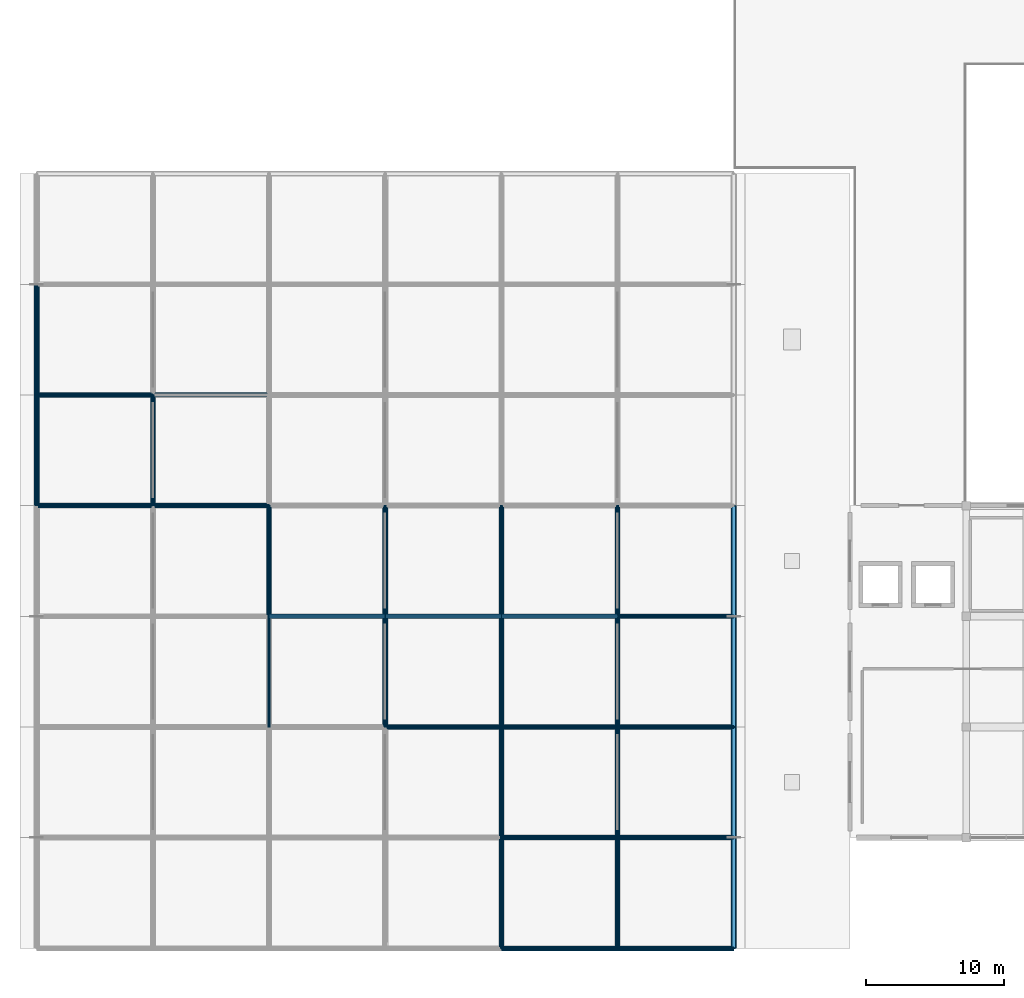
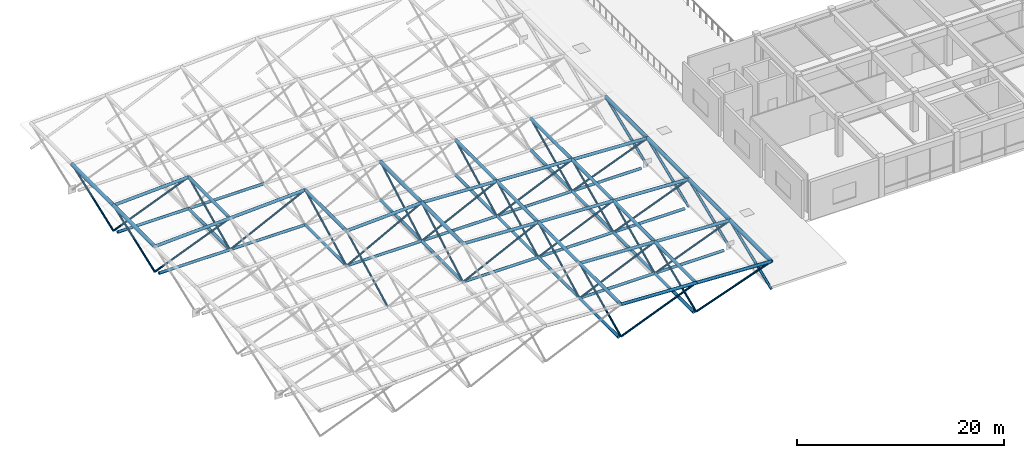
# One storey, part 7 of 37: 49 beams, 41 members.
"""IFC4 building model written with IfcOpenShell, lengths in metres."""

import ifcopenshell
import ifcopenshell.guid

model = None  # the IFC model being written
_history = None  # IfcOwnerHistory: only IFC2X3 demands one
_inside = {}  # id of a spatial element -> (the spatial element, [elements in it])
_under = {}  # id of a project, library or spatial element -> (it, [spatial elements below it])
_declared = {}  # id of a project -> (the project, [libraries it declares])
_typed = {}  # id of a type object -> (the type object, [elements of that type])
_made_of = {}  # id of a material, layer set ... -> (it, [elements and type objects made of it])


def new_model(schema):
    """Start an empty IFC model of exactly this schema.

    Asked for "IFC4X3", IfcOpenShell would pick the latest addendum, in which some entities
    have other attributes; the version numbers below select the first issue.
    IFC2X3 requires an IfcOwnerHistory on every rooted entity: one is made here for all.
    """
    global model, _history
    if schema == "IFC4X3":
        model = ifcopenshell.file(schema_version=(4, 3, 0, 0))
    else:
        model = ifcopenshell.file(schema=schema)
    _inside.clear()
    _under.clear()
    _declared.clear()
    _typed.clear()
    _made_of.clear()
    _history = None
    if model.schema == "IFC2X3":
        org = make("IfcOrganization", Name="unknown")
        user = make(
            "IfcPersonAndOrganization",
            ThePerson=make("IfcPerson", FamilyName="unknown"),
            TheOrganization=org,
        )
        app = make(
            "IfcApplication",
            ApplicationDeveloper=org,
            Version="unknown",
            ApplicationFullName="unknown",
            ApplicationIdentifier="unknown",
        )
        _history = make(
            "IfcOwnerHistory",
            OwningUser=user,
            OwningApplication=app,
            ChangeAction="ADDED",
            CreationDate=0,
        )
    return model


def make(cls, **values):
    """One entity of the class cls with the attributes given. An attribute that is None is left unset."""
    return model.create_entity(
        cls, **{name: value for name, value in values.items() if value is not None}
    )


def rooted(cls, **values):
    """An entity with a GlobalId (a new one), such as an element, a storey or a relation."""
    return make(cls, GlobalId=ifcopenshell.guid.new(), OwnerHistory=_history, **values)


def si_unit(unit_type, name, prefix=None):
    """IfcSIUnit, for example si_unit("LENGTHUNIT", "METRE", prefix="MILLI")."""
    return make("IfcSIUnit", UnitType=unit_type, Prefix=prefix, Name=name)


def assignment(units):
    """IfcUnitAssignment: the units of a project."""
    return None if units is None else make("IfcUnitAssignment", Units=units)


def point(xyz):
    """IfcCartesianPoint."""
    return None if xyz is None else make("IfcCartesianPoint", Coordinates=xyz)


def direction(xyz):
    """IfcDirection."""
    return None if xyz is None else make("IfcDirection", DirectionRatios=xyz)


def frame(location, z_axis=None, x_axis=None):
    """IfcAxis2Placement3D, a coordinate frame: its origin and axes. An axis left out is left unset."""
    return make(
        "IfcAxis2Placement3D",
        Location=point(location),
        Axis=direction(z_axis),
        RefDirection=direction(x_axis),
    )


def frame_2d(location, x_axis=None):
    """IfcAxis2Placement2D, a coordinate frame in the plane: its origin and x axis."""
    return make(
        "IfcAxis2Placement2D", Location=point(location), RefDirection=direction(x_axis)
    )


def origin():
    """The frame at (0, 0, 0) with its axes left unset."""
    return frame((0.0, 0.0, 0.0))


def origin_2d():
    """The frame at (0, 0) in the plane with its x axis left unset."""
    return frame_2d((0.0, 0.0))


def place(relative_to, where):
    """IfcLocalPlacement: puts the frame where relative to a parent placement (None: the world)."""
    return make(
        "IfcLocalPlacement", PlacementRelTo=relative_to, RelativePlacement=where
    )


def context(
    kind, dimensions, precision=None, world=None, true_north=None, identifier=None
):
    """IfcGeometricRepresentationContext, for example the 3D "Model" context."""
    return make(
        "IfcGeometricRepresentationContext",
        ContextIdentifier=identifier,
        ContextType=kind,
        CoordinateSpaceDimension=dimensions,
        Precision=precision,
        WorldCoordinateSystem=world,
        TrueNorth=true_north,
    )


def subcontext(parent, identifier, kind, view, scale=None):
    """IfcGeometricRepresentationSubContext, for example "Body" below "Model"."""
    return make(
        "IfcGeometricRepresentationSubContext",
        ContextIdentifier=identifier,
        ContextType=kind,
        ParentContext=parent,
        TargetScale=scale,
        TargetView=view,
    )


def project(units=None, contexts=None):
    """IfcProject with its units and contexts."""
    return rooted(
        "IfcProject",
        Name="project",
        RepresentationContexts=contexts,
        UnitsInContext=assignment(units),
    )


def spatial(cls, under=None, at=None, **own):
    """A site, building, storey or space (cls), placed at a placement, below another one or the project."""
    s = rooted(cls, ObjectPlacement=at, **own)
    if under is not None:
        _under.setdefault(under.id(), (under, []))[1].append(s)
    return s


def profile(cls, at=None, kind="AREA", **sizes):
    """A parametric profile (cls). Its sizes go by their IFC names, for example OverallWidth=200.0."""
    return make(cls, ProfileType=kind, Position=at, **sizes)


def hollow_circle(**sizes):
    """IfcCircleHollowProfileDef."""
    return profile("IfcCircleHollowProfileDef", **sizes)


def extrude(swept, where, along, depth):
    """IfcExtrudedAreaSolid: the profile swept, set in the frame where, extruded along a direction by depth."""
    return make(
        "IfcExtrudedAreaSolid",
        SweptArea=swept,
        Position=where,
        ExtrudedDirection=direction(along),
        Depth=depth,
    )


def shape(context_of_items, identifier, shape_type, items):
    """IfcShapeRepresentation: the items that make up one representation, for example the "Body"."""
    return make(
        "IfcShapeRepresentation",
        ContextOfItems=context_of_items,
        RepresentationIdentifier=identifier,
        RepresentationType=shape_type,
        Items=items,
    )


def material(Name=None, Category=None):
    """IfcMaterial."""
    return make("IfcMaterial", Name=Name, Category=Category)


def material_profile(
    of_material, cross_section, Name=None, Category=None, Priority=None
):
    """IfcMaterialProfile: a cross section and its material."""
    return make(
        "IfcMaterialProfile",
        Name=Name,
        Material=of_material,
        Profile=cross_section,
        Priority=Priority,
        Category=Category,
    )


def profile_set(profiles, Name=None, composite=None):
    """IfcMaterialProfileSet."""
    return make(
        "IfcMaterialProfileSet",
        Name=Name,
        MaterialProfiles=profiles,
        CompositeProfile=composite,
    )


def made_of(thing, what):
    """Note that an element or type object is made of a material, layer set ...; save() writes the relation."""
    if what is not None:
        _made_of.setdefault(what.id(), (what, []))[1].append(thing)
    return thing


def type_object(cls, material=None, **own):
    """A type object (cls), such as IfcWallType, which elements share."""
    return made_of(rooted(cls, **own), material)


def element(
    cls,
    number,
    at=None,
    inside=None,
    cuts=None,
    type_object=None,
    material=None,
    context=None,
    identifier="Body",
    shape_type=None,
    held_by="IfcProductDefinitionShape",
    body=None,
    shapes=None,
    **own,
):
    """One element of the class cls, such as IfcWall. Its Tag is "e" and its number.

    at: its placement. inside: the storey or other place that contains it. cuts: it is an
    opening in that element (IfcRelVoidsElement). A single representation is given by context,
    identifier, shape_type and body (its items); several are given by shapes. held_by: the class
    of the entity that holds the representations. save() writes the other relations.
    """
    e = rooted(cls, Tag="e%d" % number, ObjectPlacement=at, **own)
    if body is not None:
        shapes = [shape(context, identifier, shape_type, body)]
    if shapes is not None:
        e.Representation = make(held_by, Representations=shapes)
    if inside is not None:
        _inside.setdefault(inside.id(), (inside, []))[1].append(e)
    if cuts is not None:
        rooted(
            "IfcRelVoidsElement", RelatingBuildingElement=cuts, RelatedOpeningElement=e
        )
    if type_object is not None:
        _typed.setdefault(type_object.id(), (type_object, []))[1].append(e)
    return made_of(e, material)


def aggregate(whole, parts):
    """IfcRelAggregates: a whole, such as a stair, and the parts it consists of."""
    return rooted("IfcRelAggregates", RelatingObject=whole, RelatedObjects=parts)


def save(model, path):
    """Write the relations noted so far, then the file.

    IfcRelAggregates (storeys below a building ...), IfcRelContainedInSpatialStructure (elements
    in a storey), IfcRelDefinesByType, IfcRelAssociatesMaterial and IfcRelDeclares: one each for
    every whole, place, type object, material and project.
    """
    for whole, parts in _under.values():
        aggregate(whole, parts)
    for where, things in _inside.values():
        rooted(
            "IfcRelContainedInSpatialStructure",
            RelatedElements=things,
            RelatingStructure=where,
        )
    for kind, things in _typed.values():
        rooted("IfcRelDefinesByType", RelatedObjects=things, RelatingType=kind)
    for what, things in _made_of.values():
        rooted("IfcRelAssociatesMaterial", RelatedObjects=things, RelatingMaterial=what)
    for by, libraries in _declared.values():
        rooted("IfcRelDeclares", RelatingContext=by, RelatedDefinitions=libraries)
    model.write(path)


model = new_model("IFC4")

# Units and contexts
model_context = context("Model", 3, precision=1e-05, world=origin(), true_north=direction((0.0, 1.0)))
body_context = subcontext(model_context, "Body", "Model", "MODEL_VIEW")
ifc_project = project(units=[si_unit("LENGTHUNIT", "METRE"), si_unit("AREAUNIT", "SQUARE_METRE"), si_unit("VOLUMEUNIT", "CUBIC_METRE"), si_unit("PLANEANGLEUNIT", "RADIAN"), si_unit("MASSUNIT", "GRAM", prefix="KILO")], contexts=[model_context])

# Site, building, storey
site_placement = place(None, origin())
site = spatial("IfcSite", under=ifc_project, at=site_placement, CompositionType="ELEMENT")
building_placement = place(site_placement, origin())
building = spatial("IfcBuilding", under=site, at=building_placement, Name="Naruveol Harbour Congress Hotel", CompositionType="ELEMENT")
storey_placement = place(building_placement, frame((0.0, 0.0, 16.199951171875)))
storey = spatial("IfcBuildingStorey", under=building, at=storey_placement, Name="L03", CompositionType="ELEMENT", Elevation=16.199951171875)

# Beams
ifc_material_1 = material(Name="Steel SN490", Category="steel")
ifc_material_profile_1 = material_profile(ifc_material_1, hollow_circle(Radius=0.161865234375, WallThickness=0.012451171875, at=origin_2d()), Name="CHS-323.9x12.5")
ifc_profile_set_1 = profile_set([ifc_material_profile_1], Name="Steel SN490")
beam_type_1 = type_object("IfcBeamType", Name="STEEL SPACE FRAME BOTTOM CHORD CHS324", PredefinedType="JOIST", material=ifc_profile_set_1)
beam_1_placement = place(storey_placement, frame((33.60009765625, 8.0, -0.320068359375), z_axis=(1.0, 0.0, 0.0), x_axis=(0.0, 1.0, 0.0)))
element("IfcBeam", 1, at=beam_1_placement, inside=storey, type_object=beam_type_1, Name="Space frame bottom chord X #5", PredefinedType="JOIST", context=body_context, shape_type="SweptSolid", body=[
    extrude(hollow_circle(Radius=0.161865234375, WallThickness=0.012451171875, at=origin_2d()), origin(), (0.0, 0.0, 1.0), 8.39990234375),
])
beam_2_placement = place(storey_placement, frame((42.0, 8.0, -0.320068359375), z_axis=(1.0, 0.0, 0.0), x_axis=(0.0, 1.0, 0.0)))
element("IfcBeam", 2, at=beam_2_placement, inside=storey, type_object=beam_type_1, Name="Space frame bottom chord X #6", PredefinedType="JOIST", context=body_context, shape_type="SweptSolid", body=[
    extrude(hollow_circle(Radius=0.161865234375, WallThickness=0.012451171875, at=origin_2d()), origin(), (0.0, 0.0, 1.0), 7.705078125),
])
beam_3_placement = place(storey_placement, frame((25.199951171875, 16.0, -0.320068359375), z_axis=(1.0, 0.0, 0.0), x_axis=(0.0, 1.0, 0.0)))
element("IfcBeam", 3, at=beam_3_placement, inside=storey, type_object=beam_type_1, Name="Space frame bottom chord X #10", PredefinedType="JOIST", context=body_context, shape_type="SweptSolid", body=[
    extrude(hollow_circle(Radius=0.161865234375, WallThickness=0.012451171875, at=origin_2d()), origin(), (0.0, 0.0, 1.0), 8.400146484375),
])
beam_4_placement = place(storey_placement, frame((33.60009765625, 16.0, -0.320068359375), z_axis=(1.0, 0.0, 0.0), x_axis=(0.0, 1.0, 0.0)))
element("IfcBeam", 4, at=beam_4_placement, inside=storey, type_object=beam_type_1, Name="Space frame bottom chord X #11", PredefinedType="JOIST", context=body_context, shape_type="SweptSolid", body=[
    extrude(hollow_circle(Radius=0.161865234375, WallThickness=0.012451171875, at=origin_2d()), origin(), (0.0, 0.0, 1.0), 8.39990234375),
])
beam_5_placement = place(storey_placement, frame((42.0, 16.0, -0.320068359375), z_axis=(1.0, 0.0, 0.0), x_axis=(0.0, 1.0, 0.0)))
element("IfcBeam", 5, at=beam_5_placement, inside=storey, type_object=beam_type_1, Name="Space frame bottom chord X #12", PredefinedType="JOIST", context=body_context, shape_type="SweptSolid", body=[
    extrude(hollow_circle(Radius=0.161865234375, WallThickness=0.012451171875, at=origin_2d()), origin(), (0.0, 0.0, 1.0), 7.955078125),
])
beam_6_placement = place(storey_placement, frame((16.800048828125, 24.0, -0.320068359375), z_axis=(1.0, 0.0, 0.0), x_axis=(0.0, 1.0, 0.0)))
element("IfcBeam", 6, at=beam_6_placement, inside=storey, type_object=beam_type_1, Name="Space frame bottom chord X #15", PredefinedType="JOIST", context=body_context, shape_type="SweptSolid", body=[
    extrude(hollow_circle(Radius=0.161865234375, WallThickness=0.012451171875, at=origin_2d()), origin(), (0.0, 0.0, 1.0), 8.39990234375),
])
beam_7_placement = place(storey_placement, frame((25.199951171875, 24.0, -0.320068359375), z_axis=(1.0, 0.0, 0.0), x_axis=(0.0, 1.0, 0.0)))
element("IfcBeam", 7, at=beam_7_placement, inside=storey, type_object=beam_type_1, Name="Space frame bottom chord X #16", PredefinedType="JOIST", context=body_context, shape_type="SweptSolid", body=[
    extrude(hollow_circle(Radius=0.161865234375, WallThickness=0.012451171875, at=origin_2d()), origin(), (0.0, 0.0, 1.0), 8.400146484375),
])
beam_8_placement = place(storey_placement, frame((33.60009765625, 24.0, -0.320068359375), z_axis=(1.0, 0.0, 0.0), x_axis=(0.0, 1.0, 0.0)))
element("IfcBeam", 8, at=beam_8_placement, inside=storey, type_object=beam_type_1, Name="Space frame bottom chord X #17", PredefinedType="JOIST", context=body_context, shape_type="SweptSolid", body=[
    extrude(hollow_circle(Radius=0.161865234375, WallThickness=0.012451171875, at=origin_2d()), origin(), (0.0, 0.0, 1.0), 8.39990234375),
])
beam_9_placement = place(storey_placement, frame((42.0, 24.0, -0.320068359375), z_axis=(1.0, 0.0, 0.0), x_axis=(0.0, 1.0, 0.0)))
element("IfcBeam", 9, at=beam_9_placement, inside=storey, type_object=beam_type_1, Name="Space frame bottom chord X #18", PredefinedType="JOIST", context=body_context, shape_type="SweptSolid", body=[
    extrude(hollow_circle(Radius=0.161865234375, WallThickness=0.012451171875, at=origin_2d()), origin(), (0.0, 0.0, 1.0), 7.705078125),
])
beam_10_placement = place(storey_placement, frame((0.445068359375, 32.0, -0.320068359375), z_axis=(1.0, 0.0, 0.0), x_axis=(0.0, 1.0, 0.0)))
element("IfcBeam", 10, at=beam_10_placement, inside=storey, type_object=beam_type_1, Name="Space frame bottom chord X #19", PredefinedType="JOIST", context=body_context, shape_type="SweptSolid", body=[
    extrude(hollow_circle(Radius=0.161865234375, WallThickness=0.012451171875, at=origin_2d()), origin(), (0.0, 0.0, 1.0), 7.954833984375),
])
beam_11_placement = place(storey_placement, frame((8.39990234375, 32.0, -0.320068359375), z_axis=(1.0, 0.0, 0.0), x_axis=(0.0, 1.0, 0.0)))
element("IfcBeam", 11, at=beam_11_placement, inside=storey, type_object=beam_type_1, Name="Space frame bottom chord X #20", PredefinedType="JOIST", context=body_context, shape_type="SweptSolid", body=[
    extrude(hollow_circle(Radius=0.161865234375, WallThickness=0.012451171875, at=origin_2d()), origin(), (0.0, 0.0, 1.0), 8.400146484375),
])
beam_12_placement = place(storey_placement, frame((0.445068359375, 40.0, -0.320068359375), z_axis=(1.0, 0.0, 0.0), x_axis=(0.0, 1.0, 0.0)))
element("IfcBeam", 12, at=beam_12_placement, inside=storey, type_object=beam_type_1, Name="Space frame bottom chord X #25", PredefinedType="JOIST", context=body_context, shape_type="SweptSolid", body=[
    extrude(hollow_circle(Radius=0.161865234375, WallThickness=0.012451171875, at=origin_2d()), origin(), (0.0, 0.0, 1.0), 7.954833984375),
])
beam_13_placement = place(storey_placement, frame((8.39990234375, 40.0, -0.320068359375), z_axis=(1.0, 0.0, 0.0), x_axis=(0.0, 1.0, 0.0)))
element("IfcBeam", 13, at=beam_13_placement, inside=storey, type_object=beam_type_1, Name="Space frame bottom chord X #26", PredefinedType="JOIST", context=body_context, shape_type="SweptSolid", body=[
    extrude(hollow_circle(Radius=0.161865234375, WallThickness=0.012451171875, at=origin_2d()), origin(), (0.0, 0.0, 1.0), 8.400146484375),
])
for number, where, z_axis, x_axis, name in (
    (14, (8.39990234375, 32.0, -0.320068359375), (0.0, 1.0, 0.0), (-1.0, 0.0, 0.0), "Space frame bottom chord Y #41"),
    (15, (16.800048828125, 24.0, -0.320068359375), (0.0, 1.0, 0.0), (-1.0, 0.0, 0.0), "Space frame bottom chord Y #47"),
    (16, (25.199951171875, 16.0, -0.320068359375), (0.0, 1.0, 0.0), (-1.0, 0.0, 0.0), "Space frame bottom chord Y #53"),
    (17, (25.199951171875, 24.0, -0.320068359375), (0.0, 1.0, 0.0), (-1.0, 0.0, 0.0), "Space frame bottom chord Y #54"),
):
    element("IfcBeam", number, at=place(storey_placement, frame(where, z_axis=z_axis, x_axis=x_axis)), inside=storey, type_object=beam_type_1, Name=name, PredefinedType="JOIST", context=body_context, shape_type="SweptSolid", body=[
        extrude(hollow_circle(Radius=0.161865234375, WallThickness=0.012451171875, at=origin_2d()), origin(), (0.0, 0.0, 1.0), 8.0),
    ])
beam_14_placement = place(storey_placement, frame((33.60009765625, 0.445068359375, -0.320068359375), z_axis=(0.0, 1.0, 0.0), x_axis=(-1.0, 0.0, 0.0)))
element("IfcBeam", 18, at=beam_14_placement, inside=storey, type_object=beam_type_1, Name="Space frame bottom chord Y #58", PredefinedType="JOIST", context=body_context, shape_type="SweptSolid", body=[
    extrude(hollow_circle(Radius=0.161865234375, WallThickness=0.012451171875, at=origin_2d()), origin(), (0.0, 0.0, 1.0), 7.554931640625),
])
for number, where, z_axis, x_axis, name in (
    (19, (33.60009765625, 8.0, -0.320068359375), (0.0, 1.0, 0.0), (-1.0, 0.0, 0.0), "Space frame bottom chord Y #59"),
    (20, (33.60009765625, 16.0, -0.320068359375), (0.0, 1.0, 0.0), (-1.0, 0.0, 0.0), "Space frame bottom chord Y #60"),
    (21, (33.60009765625, 24.0, -0.320068359375), (0.0, 1.0, 0.0), (-1.0, 0.0, 0.0), "Space frame bottom chord Y #61"),
):
    element("IfcBeam", number, at=place(storey_placement, frame(where, z_axis=z_axis, x_axis=x_axis)), inside=storey, type_object=beam_type_1, Name=name, PredefinedType="JOIST", context=body_context, shape_type="SweptSolid", body=[
        extrude(hollow_circle(Radius=0.161865234375, WallThickness=0.012451171875, at=origin_2d()), origin(), (0.0, 0.0, 1.0), 8.0),
    ])
beam_15_placement = place(storey_placement, frame((42.0, 0.445068359375, -0.320068359375), z_axis=(0.0, 1.0, 0.0), x_axis=(-1.0, 0.0, 0.0)))
element("IfcBeam", 22, at=beam_15_placement, inside=storey, type_object=beam_type_1, Name="Space frame bottom chord Y #65", PredefinedType="JOIST", context=body_context, shape_type="SweptSolid", body=[
    extrude(hollow_circle(Radius=0.161865234375, WallThickness=0.012451171875, at=origin_2d()), origin(), (0.0, 0.0, 1.0), 7.554931640625),
])
for number, where, z_axis, x_axis, name in (
    (23, (42.0, 8.0, -0.320068359375), (0.0, 1.0, 0.0), (-1.0, 0.0, 0.0), "Space frame bottom chord Y #66"),
    (24, (42.0, 16.0, -0.320068359375), (0.0, 1.0, 0.0), (-1.0, 0.0, 0.0), "Space frame bottom chord Y #67"),
    (25, (42.0, 24.0, -0.320068359375), (0.0, 1.0, 0.0), (-1.0, 0.0, 0.0), "Space frame bottom chord Y #68"),
):
    element("IfcBeam", number, at=place(storey_placement, frame(where, z_axis=z_axis, x_axis=x_axis)), inside=storey, type_object=beam_type_1, Name=name, PredefinedType="JOIST", context=body_context, shape_type="SweptSolid", body=[
        extrude(hollow_circle(Radius=0.161865234375, WallThickness=0.012451171875, at=origin_2d()), origin(), (0.0, 0.0, 1.0), 8.0),
    ])

# Members
ifc_material_2 = material(Name="Steel SN490", Category="steel")
ifc_material_profile_2 = material_profile(ifc_material_2, hollow_circle(Radius=0.203125, WallThickness=0.01611328125, at=origin_2d()), Name="CHS-406.4x16")
ifc_profile_set_2 = profile_set([ifc_material_profile_2], Name="Steel SN490")
member_type_1 = type_object("IfcMemberType", Name="STEEL SPACE FRAME COLLECTOR CHORD CHS406", PredefinedType="CHORD", material=ifc_profile_set_2)
for number, where, z_axis, x_axis, name in (
    (26, (0.0, 32.0, 3.0), (0.0, 1.0, 0.0), (-1.0, 0.0, 0.0), "Space frame top chord Y #124"),
    (27, (0.0, 40.0, 3.0), (0.0, 1.0, 0.0), (-1.0, 0.0, 0.0), "Space frame top chord Y #125"),
    (28, (25.199951171875, 16.0, 4.199951171875), (0.0, 1.0, 0.0), (-1.0, 0.0, 0.0), "Space frame top chord Y #143"),
    (29, (25.199951171875, 24.0, 4.199951171875), (0.0, 1.0, 0.0), (-1.0, 0.0, 0.0), "Space frame top chord Y #144"),
    (30, (50.39990234375, 0.0, 3.0), (0.0, 1.0, 0.0), (-1.0, 0.0, 0.0), "Space frame top chord Y #162"),
    (31, (50.39990234375, 8.0, 3.0), (0.0, 1.0, 0.0), (-1.0, 0.0, 0.0), "Space frame top chord Y #163"),
    (32, (50.39990234375, 16.0, 3.0), (0.0, 1.0, 0.0), (-1.0, 0.0, 0.0), "Space frame top chord Y #164"),
    (33, (50.39990234375, 24.0, 3.0), (0.0, 1.0, 0.0), (-1.0, 0.0, 0.0), "Space frame top chord Y #165"),
):
    element("IfcMember", number, at=place(storey_placement, frame(where, z_axis=z_axis, x_axis=x_axis)), inside=storey, type_object=member_type_1, Name=name, PredefinedType="CHORD", context=body_context, shape_type="SweptSolid", body=[
        extrude(hollow_circle(Radius=0.203125, WallThickness=0.01611328125, at=origin_2d()), origin(), (0.0, 0.0, 1.0), 8.0),
    ])
ifc_material_3 = material(Name="Steel SN490", Category="steel")
ifc_material_profile_3 = material_profile(ifc_material_3, hollow_circle(Radius=0.1337890625, WallThickness=0.011962890625, at=origin_2d()), Name="CHS-267.4x12")
ifc_profile_set_3 = profile_set([ifc_material_profile_3], Name="Steel SN490")
member_type_2 = type_object("IfcMemberType", Name="STEEL SPACE FRAME EDGE STRUT CHS267", PredefinedType="STRUT", material=ifc_profile_set_3)
for number, where, z_axis, x_axis, name in (
    (34, (50.39990234375, 0.0, -0.260009765625), (0.0, 0.926062000951, 0.377371395834), (-1.0, 0.0, 0.0), "Space frame edge strut #246"),
    (35, (50.39990234375, 8.0, -0.260009765625), (0.0, 0.926062000951, 0.377371395834), (-1.0, 0.0, 0.0), "Space frame edge strut #249"),
    (36, (50.39990234375, 16.0, -0.260009765625), (0.0, 0.926062000951, 0.377371395834), (-1.0, 0.0, 0.0), "Space frame edge strut #252"),
    (37, (50.39990234375, 24.0, -0.260009765625), (0.0, 0.926062000951, 0.377371395834), (-1.0, 0.0, 0.0), "Space frame edge strut #255"),
):
    element("IfcMember", number, at=place(storey_placement, frame(where, z_axis=z_axis, x_axis=x_axis)), inside=storey, type_object=member_type_2, Name=name, PredefinedType="STRUT", context=body_context, shape_type="SweptSolid", body=[
        extrude(hollow_circle(Radius=0.1337890625, WallThickness=0.011962890625, at=origin_2d()), origin(), (0.0, 0.0, 1.0), 8.638671875),
    ])
ifc_material_4 = material(Name="Steel SN490", Category="steel")
ifc_material_profile_4 = material_profile(ifc_material_4, hollow_circle(Radius=0.109619140625, WallThickness=0.010009765625, at=origin_2d()), Name="CHS-219.1x10")
ifc_profile_set_4 = profile_set([ifc_material_profile_4], Name="Steel SN490")
member_type_3 = type_object("IfcMemberType", Name="STEEL SPACE FRAME MAIN DIAGONAL CHS219", PredefinedType="BRACE", material=ifc_profile_set_4)
member_1_placement = place(storey_placement, frame((0.0, 32.0, 0.0), z_axis=(0.926939674222, 0.0, 0.375210394783), x_axis=(0.0, 1.0, 0.0)))
element("IfcMember", 38, at=member_1_placement, inside=storey, type_object=member_type_3, Name="Space frame web diagonal #177", PredefinedType="BRACE", context=body_context, shape_type="SweptSolid", body=[
    extrude(hollow_circle(Radius=0.109619140625, WallThickness=0.010009765625, at=origin_2d()), origin(), (0.0, 0.0, 1.0), 9.06201171875),
])
member_2_placement = place(storey_placement, frame((0.0, 32.0, 0.0), z_axis=(0.0, 0.936329177569, 0.351123441588), x_axis=(-1.0, 0.0, 0.0)))
element("IfcMember", 39, at=member_2_placement, inside=storey, type_object=member_type_3, Name="Space frame transverse diagonal #178", PredefinedType="BRACE", context=body_context, shape_type="SweptSolid", body=[
    extrude(hollow_circle(Radius=0.109619140625, WallThickness=0.010009765625, at=origin_2d()), origin(), (0.0, 0.0, 1.0), 8.5439453125),
])
member_3_placement = place(storey_placement, frame((0.0, 40.0, 0.0), z_axis=(0.926939674222, 0.0, 0.375210394783), x_axis=(0.0, 1.0, 0.0)))
element("IfcMember", 40, at=member_3_placement, inside=storey, type_object=member_type_3, Name="Space frame web diagonal #179", PredefinedType="BRACE", context=body_context, shape_type="SweptSolid", body=[
    extrude(hollow_circle(Radius=0.109619140625, WallThickness=0.010009765625, at=origin_2d()), origin(), (0.0, 0.0, 1.0), 9.06201171875),
])
member_4_placement = place(storey_placement, frame((0.0, 40.0, 0.0), z_axis=(0.0, 0.936329177569, 0.351123441588), x_axis=(-1.0, 0.0, 0.0)))
element("IfcMember", 41, at=member_4_placement, inside=storey, type_object=member_type_3, Name="Space frame transverse diagonal #180", PredefinedType="BRACE", context=body_context, shape_type="SweptSolid", body=[
    extrude(hollow_circle(Radius=0.109619140625, WallThickness=0.010009765625, at=origin_2d()), origin(), (0.0, 0.0, 1.0), 8.5439453125),
])
member_5_placement = place(storey_placement, frame((8.39990234375, 32.0, -0.320068359375), z_axis=(0.897819388189, 0.0, 0.4403638793), x_axis=(0.0, 1.0, 0.0)))
element("IfcMember", 42, at=member_5_placement, inside=storey, type_object=member_type_3, Name="Space frame web diagonal #192", PredefinedType="BRACE", context=body_context, shape_type="SweptSolid", body=[
    extrude(hollow_circle(Radius=0.109619140625, WallThickness=0.010009765625, at=origin_2d()), origin(), (0.0, 0.0, 1.0), 9.356201171875),
])
member_6_placement = place(storey_placement, frame((8.39990234375, 32.0, -0.320068359375), z_axis=(0.0, 0.906752115722, 0.421664085064), x_axis=(-1.0, 0.0, 0.0)))
element("IfcMember", 43, at=member_6_placement, inside=storey, type_object=member_type_3, Name="Space frame transverse diagonal #193", PredefinedType="BRACE", context=body_context, shape_type="SweptSolid", body=[
    extrude(hollow_circle(Radius=0.109619140625, WallThickness=0.010009765625, at=origin_2d()), origin(), (0.0, 0.0, 1.0), 8.82275390625),
])
member_7_placement = place(storey_placement, frame((16.800048828125, 16.0, -0.320068359375), z_axis=(0.0, 0.889024087691, 0.457860427975), x_axis=(-1.0, 0.0, 0.0)))
element("IfcMember", 44, at=member_7_placement, inside=storey, type_object=member_type_3, Name="Space frame transverse diagonal #204", PredefinedType="BRACE", context=body_context, shape_type="SweptSolid", body=[
    extrude(hollow_circle(Radius=0.109619140625, WallThickness=0.010009765625, at=origin_2d()), origin(), (0.0, 0.0, 1.0), 8.99853515625),
])
member_8_placement = place(storey_placement, frame((16.800048828125, 24.0, -0.320068359375), z_axis=(0.880602560466, 0.0, 0.473855600897), x_axis=(0.0, 1.0, 0.0)))
element("IfcMember", 45, at=member_8_placement, inside=storey, type_object=member_type_3, Name="Space frame web diagonal #205", PredefinedType="BRACE", context=body_context, shape_type="SweptSolid", body=[
    extrude(hollow_circle(Radius=0.109619140625, WallThickness=0.010009765625, at=origin_2d()), origin(), (0.0, 0.0, 1.0), 9.538818359375),
])
member_9_placement = place(storey_placement, frame((16.800048828125, 24.0, -0.320068359375), z_axis=(0.0, 0.889024087691, 0.457860427975), x_axis=(-1.0, 0.0, 0.0)))
element("IfcMember", 46, at=member_9_placement, inside=storey, type_object=member_type_3, Name="Space frame transverse diagonal #206", PredefinedType="BRACE", context=body_context, shape_type="SweptSolid", body=[
    extrude(hollow_circle(Radius=0.109619140625, WallThickness=0.010009765625, at=origin_2d()), origin(), (0.0, 0.0, 1.0), 8.99853515625),
])
member_10_placement = place(storey_placement, frame((25.199951171875, 16.0, -0.320068359375), z_axis=(0.897819388189, 0.0, 0.4403638793), x_axis=(0.0, 1.0, 0.0)))
element("IfcMember", 47, at=member_10_placement, inside=storey, type_object=member_type_3, Name="Space frame web diagonal #218", PredefinedType="BRACE", context=body_context, shape_type="SweptSolid", body=[
    extrude(hollow_circle(Radius=0.109619140625, WallThickness=0.010009765625, at=origin_2d()), origin(), (0.0, 0.0, 1.0), 9.356201171875),
])
member_11_placement = place(storey_placement, frame((25.199951171875, 16.0, -0.320068359375), z_axis=(0.0, 0.870642993702, 0.491915417035), x_axis=(-1.0, 0.0, 0.0)))
element("IfcMember", 48, at=member_11_placement, inside=storey, type_object=member_type_3, Name="Space frame transverse diagonal #219", PredefinedType="BRACE", context=body_context, shape_type="SweptSolid", body=[
    extrude(hollow_circle(Radius=0.109619140625, WallThickness=0.010009765625, at=origin_2d()), origin(), (0.0, 0.0, 1.0), 9.188720703125),
])
member_12_placement = place(storey_placement, frame((25.199951171875, 24.0, -0.320068359375), z_axis=(0.897819388189, 0.0, 0.4403638793), x_axis=(0.0, 1.0, 0.0)))
element("IfcMember", 49, at=member_12_placement, inside=storey, type_object=member_type_3, Name="Space frame web diagonal #220", PredefinedType="BRACE", context=body_context, shape_type="SweptSolid", body=[
    extrude(hollow_circle(Radius=0.109619140625, WallThickness=0.010009765625, at=origin_2d()), origin(), (0.0, 0.0, 1.0), 9.356201171875),
])
member_13_placement = place(storey_placement, frame((25.199951171875, 24.0, -0.320068359375), z_axis=(0.0, 0.870642993702, 0.491915417035), x_axis=(-1.0, 0.0, 0.0)))
element("IfcMember", 50, at=member_13_placement, inside=storey, type_object=member_type_3, Name="Space frame transverse diagonal #221", PredefinedType="BRACE", context=body_context, shape_type="SweptSolid", body=[
    extrude(hollow_circle(Radius=0.109619140625, WallThickness=0.010009765625, at=origin_2d()), origin(), (0.0, 0.0, 1.0), 9.188720703125),
])
member_14_placement = place(storey_placement, frame((33.60009765625, 0.0, 0.0), z_axis=(0.926939674222, 0.0, 0.375210394783), x_axis=(0.0, 1.0, 0.0)))
element("IfcMember", 51, at=member_14_placement, inside=storey, type_object=member_type_3, Name="Space frame web diagonal #229", PredefinedType="BRACE", context=body_context, shape_type="SweptSolid", body=[
    extrude(hollow_circle(Radius=0.109619140625, WallThickness=0.010009765625, at=origin_2d()), origin(), (0.0, 0.0, 1.0), 9.06201171875),
])
member_15_placement = place(storey_placement, frame((33.60009765625, 0.0, 0.0), z_axis=(0.0, 0.903275367679, 0.429061312803), x_axis=(-1.0, 0.0, 0.0)))
element("IfcMember", 52, at=member_15_placement, inside=storey, type_object=member_type_3, Name="Space frame transverse diagonal #230", PredefinedType="BRACE", context=body_context, shape_type="SweptSolid", body=[
    extrude(hollow_circle(Radius=0.109619140625, WallThickness=0.010009765625, at=origin_2d()), origin(), (0.0, 0.0, 1.0), 8.856689453125),
])
member_16_placement = place(storey_placement, frame((33.60009765625, 8.0, -0.320068359375), z_axis=(0.914338987874, 0.0, 0.40494964533), x_axis=(0.0, 1.0, 0.0)))
element("IfcMember", 53, at=member_16_placement, inside=storey, type_object=member_type_3, Name="Space frame web diagonal #231", PredefinedType="BRACE", context=body_context, shape_type="SweptSolid", body=[
    extrude(hollow_circle(Radius=0.109619140625, WallThickness=0.010009765625, at=origin_2d()), origin(), (0.0, 0.0, 1.0), 9.186767578125),
])
member_17_placement = place(storey_placement, frame((33.60009765625, 8.0, -0.320068359375), z_axis=(0.0, 0.889024087691, 0.457860427975), x_axis=(-1.0, 0.0, 0.0)))
element("IfcMember", 54, at=member_17_placement, inside=storey, type_object=member_type_3, Name="Space frame transverse diagonal #232", PredefinedType="BRACE", context=body_context, shape_type="SweptSolid", body=[
    extrude(hollow_circle(Radius=0.109619140625, WallThickness=0.010009765625, at=origin_2d()), origin(), (0.0, 0.0, 1.0), 8.99853515625),
])
member_18_placement = place(storey_placement, frame((33.60009765625, 16.0, -0.320068359375), z_axis=(0.914338987874, 0.0, 0.40494964533), x_axis=(0.0, 1.0, 0.0)))
element("IfcMember", 55, at=member_18_placement, inside=storey, type_object=member_type_3, Name="Space frame web diagonal #233", PredefinedType="BRACE", context=body_context, shape_type="SweptSolid", body=[
    extrude(hollow_circle(Radius=0.109619140625, WallThickness=0.010009765625, at=origin_2d()), origin(), (0.0, 0.0, 1.0), 9.186767578125),
])
member_19_placement = place(storey_placement, frame((33.60009765625, 16.0, -0.320068359375), z_axis=(0.0, 0.889024087691, 0.457860427975), x_axis=(-1.0, 0.0, 0.0)))
element("IfcMember", 56, at=member_19_placement, inside=storey, type_object=member_type_3, Name="Space frame transverse diagonal #234", PredefinedType="BRACE", context=body_context, shape_type="SweptSolid", body=[
    extrude(hollow_circle(Radius=0.109619140625, WallThickness=0.010009765625, at=origin_2d()), origin(), (0.0, 0.0, 1.0), 8.99853515625),
])
member_20_placement = place(storey_placement, frame((33.60009765625, 24.0, -0.320068359375), z_axis=(0.914338987874, 0.0, 0.40494964533), x_axis=(0.0, 1.0, 0.0)))
element("IfcMember", 57, at=member_20_placement, inside=storey, type_object=member_type_3, Name="Space frame web diagonal #235", PredefinedType="BRACE", context=body_context, shape_type="SweptSolid", body=[
    extrude(hollow_circle(Radius=0.109619140625, WallThickness=0.010009765625, at=origin_2d()), origin(), (0.0, 0.0, 1.0), 9.186767578125),
])
member_21_placement = place(storey_placement, frame((33.60009765625, 24.0, -0.320068359375), z_axis=(0.0, 0.889024087691, 0.457860427975), x_axis=(-1.0, 0.0, 0.0)))
element("IfcMember", 58, at=member_21_placement, inside=storey, type_object=member_type_3, Name="Space frame transverse diagonal #236", PredefinedType="BRACE", context=body_context, shape_type="SweptSolid", body=[
    extrude(hollow_circle(Radius=0.109619140625, WallThickness=0.010009765625, at=origin_2d()), origin(), (0.0, 0.0, 1.0), 8.99853515625),
])
member_22_placement = place(storey_placement, frame((42.0, 0.0, 0.0), z_axis=(0.941740673063, 0.0, 0.336339864867), x_axis=(0.0, 1.0, 0.0)))
element("IfcMember", 59, at=member_22_placement, inside=storey, type_object=member_type_3, Name="Space frame web diagonal #244", PredefinedType="BRACE", context=body_context, shape_type="SweptSolid", body=[
    extrude(hollow_circle(Radius=0.109619140625, WallThickness=0.010009765625, at=origin_2d()), origin(), (0.0, 0.0, 1.0), 8.91943359375),
])
member_23_placement = place(storey_placement, frame((42.0, 0.0, 0.0), z_axis=(0.0, 0.92032485211, 0.391154913798), x_axis=(-1.0, 0.0, 0.0)))
element("IfcMember", 60, at=member_23_placement, inside=storey, type_object=member_type_3, Name="Space frame transverse diagonal #245", PredefinedType="BRACE", context=body_context, shape_type="SweptSolid", body=[
    extrude(hollow_circle(Radius=0.109619140625, WallThickness=0.010009765625, at=origin_2d()), origin(), (0.0, 0.0, 1.0), 8.692626953125),
])
member_24_placement = place(storey_placement, frame((42.0, 8.0, -0.320068359375), z_axis=(0.929991880905, 0.0, 0.367580061281), x_axis=(0.0, 1.0, 0.0)))
element("IfcMember", 61, at=member_24_placement, inside=storey, type_object=member_type_3, Name="Space frame web diagonal #247", PredefinedType="BRACE", context=body_context, shape_type="SweptSolid", body=[
    extrude(hollow_circle(Radius=0.109619140625, WallThickness=0.010009765625, at=origin_2d()), origin(), (0.0, 0.0, 1.0), 9.0322265625),
])
member_25_placement = place(storey_placement, frame((42.0, 8.0, -0.320068359375), z_axis=(0.0, 0.906752115722, 0.421664085064), x_axis=(-1.0, 0.0, 0.0)))
element("IfcMember", 62, at=member_25_placement, inside=storey, type_object=member_type_3, Name="Space frame transverse diagonal #248", PredefinedType="BRACE", context=body_context, shape_type="SweptSolid", body=[
    extrude(hollow_circle(Radius=0.109619140625, WallThickness=0.010009765625, at=origin_2d()), origin(), (0.0, 0.0, 1.0), 8.82275390625),
])
member_26_placement = place(storey_placement, frame((42.0, 16.0, -0.320068359375), z_axis=(0.929991880905, 0.0, 0.367580061281), x_axis=(0.0, 1.0, 0.0)))
element("IfcMember", 63, at=member_26_placement, inside=storey, type_object=member_type_3, Name="Space frame web diagonal #250", PredefinedType="BRACE", context=body_context, shape_type="SweptSolid", body=[
    extrude(hollow_circle(Radius=0.109619140625, WallThickness=0.010009765625, at=origin_2d()), origin(), (0.0, 0.0, 1.0), 9.0322265625),
])
member_27_placement = place(storey_placement, frame((42.0, 16.0, -0.320068359375), z_axis=(0.0, 0.906752115722, 0.421664085064), x_axis=(-1.0, 0.0, 0.0)))
element("IfcMember", 64, at=member_27_placement, inside=storey, type_object=member_type_3, Name="Space frame transverse diagonal #251", PredefinedType="BRACE", context=body_context, shape_type="SweptSolid", body=[
    extrude(hollow_circle(Radius=0.109619140625, WallThickness=0.010009765625, at=origin_2d()), origin(), (0.0, 0.0, 1.0), 8.82275390625),
])
member_28_placement = place(storey_placement, frame((42.0, 24.0, -0.320068359375), z_axis=(0.929991880905, 0.0, 0.367580061281), x_axis=(0.0, 1.0, 0.0)))
element("IfcMember", 65, at=member_28_placement, inside=storey, type_object=member_type_3, Name="Space frame web diagonal #253", PredefinedType="BRACE", context=body_context, shape_type="SweptSolid", body=[
    extrude(hollow_circle(Radius=0.109619140625, WallThickness=0.010009765625, at=origin_2d()), origin(), (0.0, 0.0, 1.0), 9.0322265625),
])
member_29_placement = place(storey_placement, frame((42.0, 24.0, -0.320068359375), z_axis=(0.0, 0.906752115722, 0.421664085064), x_axis=(-1.0, 0.0, 0.0)))
element("IfcMember", 66, at=member_29_placement, inside=storey, type_object=member_type_3, Name="Space frame transverse diagonal #254", PredefinedType="BRACE", context=body_context, shape_type="SweptSolid", body=[
    extrude(hollow_circle(Radius=0.109619140625, WallThickness=0.010009765625, at=origin_2d()), origin(), (0.0, 0.0, 1.0), 8.82275390625),
])

# Beams
ifc_material_5 = material(Name="Steel SN490", Category="steel")
ifc_material_profile_5 = material_profile(ifc_material_5, hollow_circle(Radius=0.177734375, WallThickness=0.01611328125, at=origin_2d()), Name="CHS-355.6x16")
ifc_profile_set_5 = profile_set([ifc_material_profile_5], Name="Steel SN490")
beam_type_2 = type_object("IfcBeamType", Name="STEEL SPACE FRAME TOP CHORD CHS356", PredefinedType="JOIST", material=ifc_profile_set_5)
for number, where, z_axis, x_axis, name in (
    (67, (33.60009765625, 0.0, 3.800048828125), (0.998868663126, 0.0, -0.047554114695), (0.0, 1.0, 0.0), "Space frame top chord X #76"),
    (68, (42.0, 0.0, 3.400146484375), (0.998867283688, 0.0, -0.047583080799), (0.0, 1.0, 0.0), "Space frame top chord X #77"),
    (69, (33.60009765625, 8.0, 3.800048828125), (0.998868663126, 0.0, -0.047554114695), (0.0, 1.0, 0.0), "Space frame top chord X #82"),
    (70, (42.0, 8.0, 3.400146484375), (0.998867283688, 0.0, -0.047583080799), (0.0, 1.0, 0.0), "Space frame top chord X #83"),
):
    element("IfcBeam", number, at=place(storey_placement, frame(where, z_axis=z_axis, x_axis=x_axis)), inside=storey, type_object=beam_type_2, Name=name, PredefinedType="JOIST", context=body_context, shape_type="SweptSolid", body=[
        extrude(hollow_circle(Radius=0.177734375, WallThickness=0.01611328125, at=origin_2d()), origin(), (0.0, 0.0, 1.0), 8.409423828125),
    ])
beam_16_placement = place(storey_placement, frame((25.199951171875, 16.0, 4.199951171875), z_axis=(0.998868728776, 0.0, -0.047552735715), x_axis=(0.0, 1.0, 0.0)))
element("IfcBeam", 71, at=beam_16_placement, inside=storey, type_object=beam_type_2, Name="Space frame top chord X #87", PredefinedType="JOIST", context=body_context, shape_type="SweptSolid", body=[
    extrude(hollow_circle(Radius=0.177734375, WallThickness=0.01611328125, at=origin_2d()), origin(), (0.0, 0.0, 1.0), 8.40966796875),
])
for number, where, z_axis, x_axis, name in (
    (72, (33.60009765625, 16.0, 3.800048828125), (0.998868663126, 0.0, -0.047554114695), (0.0, 1.0, 0.0), "Space frame top chord X #88"),
    (73, (42.0, 16.0, 3.400146484375), (0.998867283688, 0.0, -0.047583080799), (0.0, 1.0, 0.0), "Space frame top chord X #89"),
    (74, (16.800048828125, 24.0, 3.800048828125), (0.998868663126, 0.0, 0.047554114695), (0.0, 1.0, 0.0), "Space frame top chord X #92"),
):
    element("IfcBeam", number, at=place(storey_placement, frame(where, z_axis=z_axis, x_axis=x_axis)), inside=storey, type_object=beam_type_2, Name=name, PredefinedType="JOIST", context=body_context, shape_type="SweptSolid", body=[
        extrude(hollow_circle(Radius=0.177734375, WallThickness=0.01611328125, at=origin_2d()), origin(), (0.0, 0.0, 1.0), 8.409423828125),
    ])
beam_17_placement = place(storey_placement, frame((25.199951171875, 24.0, 4.199951171875), z_axis=(0.998868728776, 0.0, -0.047552735715), x_axis=(0.0, 1.0, 0.0)))
element("IfcBeam", 75, at=beam_17_placement, inside=storey, type_object=beam_type_2, Name="Space frame top chord X #93", PredefinedType="JOIST", context=body_context, shape_type="SweptSolid", body=[
    extrude(hollow_circle(Radius=0.177734375, WallThickness=0.01611328125, at=origin_2d()), origin(), (0.0, 0.0, 1.0), 8.40966796875),
])
for number, where, z_axis, x_axis, name in (
    (76, (33.60009765625, 24.0, 3.800048828125), (0.998868663126, 0.0, -0.047554114695), (0.0, 1.0, 0.0), "Space frame top chord X #94"),
    (77, (42.0, 24.0, 3.400146484375), (0.998867283688, 0.0, -0.047583080799), (0.0, 1.0, 0.0), "Space frame top chord X #95"),
    (78, (0.0, 32.0, 3.0), (0.998867283688, 0.0, 0.047583080799), (0.0, 1.0, 0.0), "Space frame top chord X #96"),
):
    element("IfcBeam", number, at=place(storey_placement, frame(where, z_axis=z_axis, x_axis=x_axis)), inside=storey, type_object=beam_type_2, Name=name, PredefinedType="JOIST", context=body_context, shape_type="SweptSolid", body=[
        extrude(hollow_circle(Radius=0.177734375, WallThickness=0.01611328125, at=origin_2d()), origin(), (0.0, 0.0, 1.0), 8.409423828125),
    ])
beam_18_placement = place(storey_placement, frame((8.39990234375, 32.0, 3.400146484375), z_axis=(0.998868728776, 0.0, 0.047552735715), x_axis=(0.0, 1.0, 0.0)))
element("IfcBeam", 79, at=beam_18_placement, inside=storey, type_object=beam_type_2, Name="Space frame top chord X #97", PredefinedType="JOIST", context=body_context, shape_type="SweptSolid", body=[
    extrude(hollow_circle(Radius=0.177734375, WallThickness=0.01611328125, at=origin_2d()), origin(), (0.0, 0.0, 1.0), 8.40966796875),
])
beam_19_placement = place(storey_placement, frame((0.0, 40.0, 3.0), z_axis=(0.998867283688, 0.0, 0.047583080799), x_axis=(0.0, 1.0, 0.0)))
element("IfcBeam", 80, at=beam_19_placement, inside=storey, type_object=beam_type_2, Name="Space frame top chord X #102", PredefinedType="JOIST", context=body_context, shape_type="SweptSolid", body=[
    extrude(hollow_circle(Radius=0.177734375, WallThickness=0.01611328125, at=origin_2d()), origin(), (0.0, 0.0, 1.0), 8.409423828125),
])
for number, where, z_axis, x_axis, name in (
    (81, (8.39990234375, 32.0, 3.400146484375), (0.0, 1.0, 0.0), (-1.0, 0.0, 0.0), "Space frame top chord Y #131"),
    (82, (16.800048828125, 24.0, 3.800048828125), (0.0, 1.0, 0.0), (-1.0, 0.0, 0.0), "Space frame top chord Y #137"),
    (83, (33.60009765625, 0.0, 3.800048828125), (0.0, 1.0, 0.0), (-1.0, 0.0, 0.0), "Space frame top chord Y #148"),
    (84, (33.60009765625, 8.0, 3.800048828125), (0.0, 1.0, 0.0), (-1.0, 0.0, 0.0), "Space frame top chord Y #149"),
    (85, (33.60009765625, 16.0, 3.800048828125), (0.0, 1.0, 0.0), (-1.0, 0.0, 0.0), "Space frame top chord Y #150"),
    (86, (33.60009765625, 24.0, 3.800048828125), (0.0, 1.0, 0.0), (-1.0, 0.0, 0.0), "Space frame top chord Y #151"),
    (87, (42.0, 0.0, 3.400146484375), (0.0, 1.0, 0.0), (-1.0, 0.0, 0.0), "Space frame top chord Y #155"),
    (88, (42.0, 8.0, 3.400146484375), (0.0, 1.0, 0.0), (-1.0, 0.0, 0.0), "Space frame top chord Y #156"),
    (89, (42.0, 16.0, 3.400146484375), (0.0, 1.0, 0.0), (-1.0, 0.0, 0.0), "Space frame top chord Y #157"),
    (90, (42.0, 24.0, 3.400146484375), (0.0, 1.0, 0.0), (-1.0, 0.0, 0.0), "Space frame top chord Y #158"),
):
    element("IfcBeam", number, at=place(storey_placement, frame(where, z_axis=z_axis, x_axis=x_axis)), inside=storey, type_object=beam_type_2, Name=name, PredefinedType="JOIST", context=body_context, shape_type="SweptSolid", body=[
        extrude(hollow_circle(Radius=0.177734375, WallThickness=0.01611328125, at=origin_2d()), origin(), (0.0, 0.0, 1.0), 8.0),
    ])

save(model, "model.ifc")
